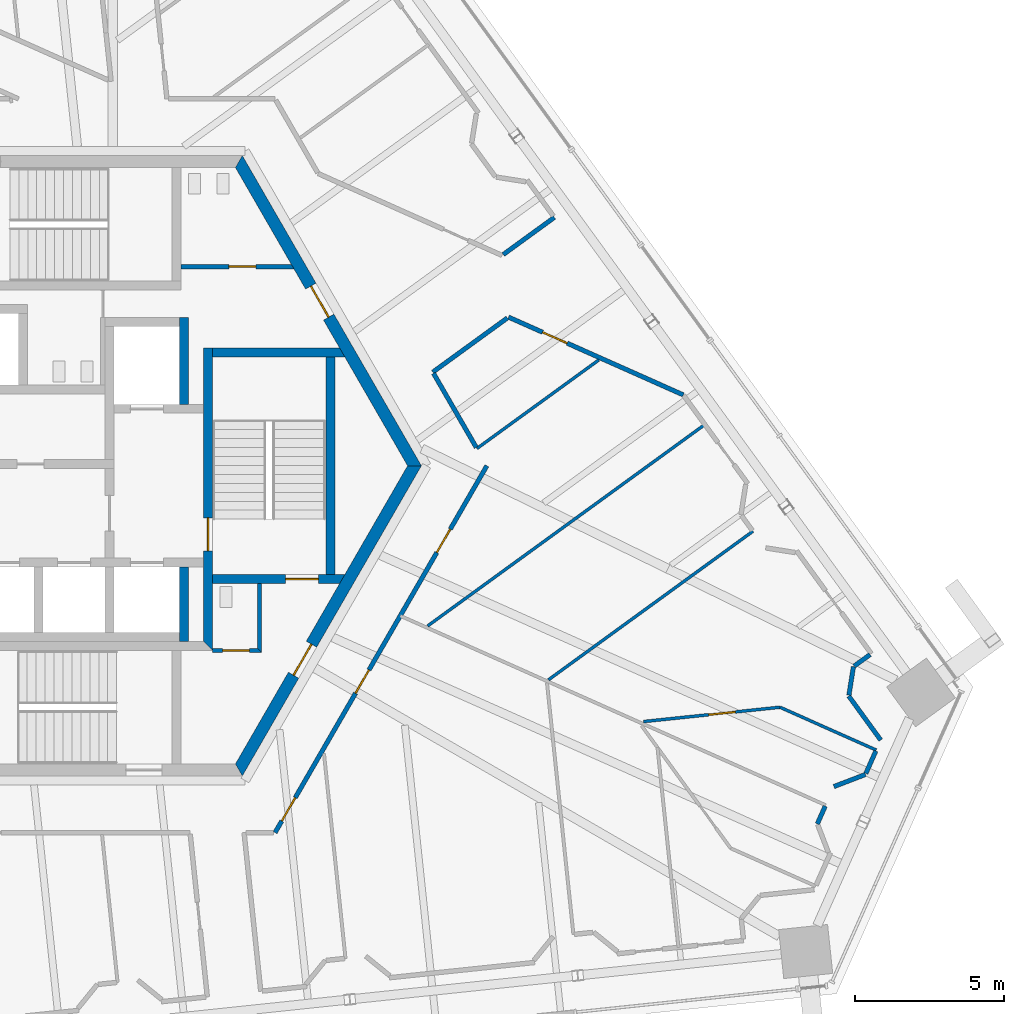
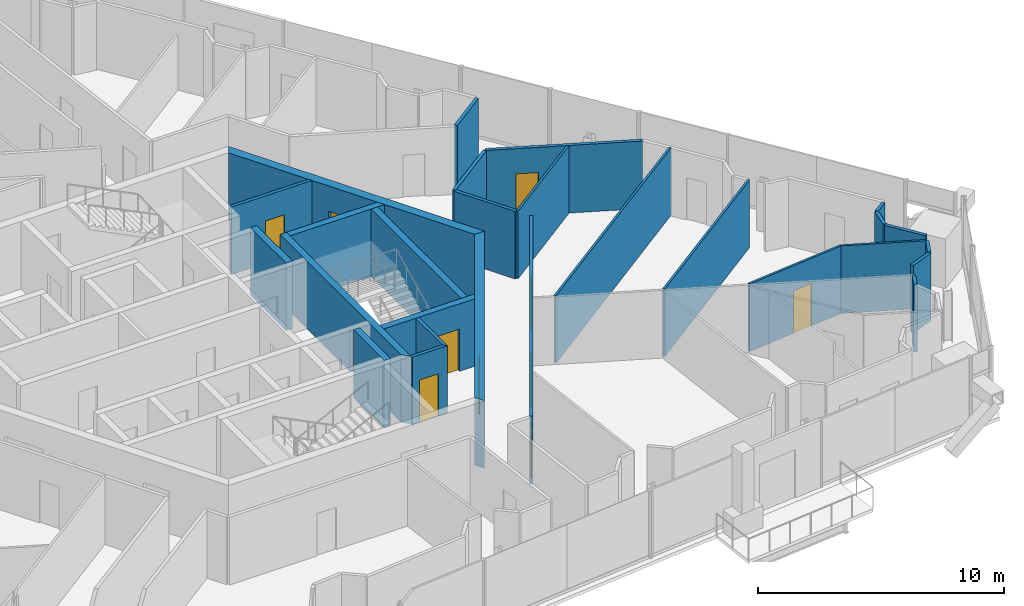
# One storey, part 18 of 26: 27 walls, 11 doors, 11 openings.
"""IFC4 building model written with IfcOpenShell, lengths in metres."""

from ifc_helpers import new_model, si_unit, direction, frame, frame_2d, origin, place, context, subcontext, project, spatial, polyline, rectangle, outline, extrude, source, transform, mapped, material, layer, layer_set, type_object, element, fill, save


model = new_model("IFC4")

# Units and contexts
model_context = context("Model", 3, precision=1e-05, world=origin(), true_north=direction((0.0, 1.0)))
body_context = subcontext(model_context, "Body", "Model", "MODEL_VIEW")
ifc_project = project(units=[si_unit("LENGTHUNIT", "METRE"), si_unit("AREAUNIT", "SQUARE_METRE"), si_unit("VOLUMEUNIT", "CUBIC_METRE"), si_unit("PLANEANGLEUNIT", "RADIAN"), si_unit("MASSUNIT", "GRAM", prefix="KILO")], contexts=[model_context])

# Site, building, storey
site_placement = place(None, origin())
site = spatial("IfcSite", under=ifc_project, at=site_placement, CompositionType="ELEMENT")
building_placement = place(site_placement, origin())
building = spatial("IfcBuilding", under=site, at=building_placement, Name="Triune Harvest Tower", CompositionType="ELEMENT")
storey_placement = place(building_placement, frame((0.0, 0.0, 252.10009765625)))
storey = spatial("IfcBuildingStorey", under=building, at=storey_placement, Name="L66", CompositionType="ELEMENT", Elevation=252.10009765625)

# Wall
ifc_material_1 = material(Name="Gypsum board on steel studs", Category="steel")
ifc_layer_1 = layer(ifc_material_1, 0.14990234375)
ifc_layer_set_1 = layer_set([ifc_layer_1], Name="Gypsum board on steel studs")
wall_type_1 = type_object("IfcWallType", Name="Fire Partition 150 mm", PredefinedType="PARTITIONING", material=ifc_layer_set_1)
wall_1_placement = place(storey_placement, frame((12.4072265625, 3.094482421875, 0.0), z_axis=(0.0, 0.0, 1.0), x_axis=(0.499990619765, -0.866030819398, 0.0)))
element("IfcWall", 1, at=wall_1_placement, inside=storey, type_object=wall_type_1, Name="Partition L66 023", PredefinedType="PARTITIONING", context=body_context, shape_type="SweptSolid", body=[
    extrude(rectangle(XDim=2.86328125, YDim=0.14990234375, at=frame_2d((1.431640625, 0.0))), origin(), (0.0, 0.0, 1.0), 3.349853515625),
])

# Wall, opening, door
wall_2_placement = place(storey_placement, frame((14.919921875, 4.981201171875, 0.0), z_axis=(0.0, 0.0, 1.0), x_axis=(0.913563221273, -0.406696742965, 0.0)))
wall_2 = element("IfcWall", 2, at=wall_2_placement, inside=storey, type_object=wall_type_1, Name="Partition L66 056", PredefinedType="PARTITIONING", context=body_context, shape_type="SweptSolid", body=[
    extrude(rectangle(XDim=6.409912109375, YDim=0.14990234375, at=frame_2d((3.205078125, 0.0))), origin(), (0.0, 0.0, 1.0), 3.349853515625),
])
opening_1_placement = place(wall_2_placement, frame((1.25, 0.0, 0.0)))
opening_1 = element("IfcOpeningElement", 3, at=opening_1_placement, cuts=wall_2, Name="Opening L66-004", PredefinedType="OPENING", context=body_context, shape_type="SweptSolid", body=[
    extrude(rectangle(XDim=0.89990234375, YDim=2.10009765625, at=frame_2d((0.449951171875, 1.050048828125))), frame((0.0, 0.0849609375, 0.0), z_axis=(0.0, -1.0, 0.0), x_axis=(1.0, 0.0, 0.0)), (0.0, 0.0, 1.0), 0.169921875),
])
ifc_material_2 = material(Name="Timber and steel door set", Category="steel")
door_type_1 = type_object("IfcDoorType", Name="Single leaf door FD30 right hand 900 x 2100", OperationType="SINGLE_SWING_RIGHT", PredefinedType="DOOR", material=ifc_material_2)
door_1_placement = place(opening_1_placement, origin())
door_1 = element("IfcDoor", 4, at=door_1_placement, inside=storey, type_object=door_type_1, Name="Door L66-004 Office 66.04", OperationType="SINGLE_SWING_RIGHT", OverallHeight=2.10009765625, OverallWidth=0.89990234375, PredefinedType="DOOR", context=body_context, shape_type="SweptSolid", body=[
    extrude(rectangle(XDim=0.89990234375, YDim=2.10009765625, at=frame_2d((0.449951171875, 1.050048828125))), frame((0.0, 0.02490234375, 0.0), z_axis=(0.0, -1.0, 0.0), x_axis=(1.0, 0.0, 0.0)), (0.0, 0.0, 1.0), 0.050048828125),
])
fill(opening_1, door_1)

# Walls
wall_3_placement = place(storey_placement, frame((12.382568359375, 3.1376953125, 0.0), z_axis=(0.0, 0.0, 1.0), x_axis=(0.808992559599, 0.587818882407, 0.0)))
element("IfcWall", 5, at=wall_3_placement, inside=storey, type_object=wall_type_1, Name="Partition L66 101", PredefinedType="PARTITIONING", context=body_context, shape_type="SweptSolid", body=[
    extrude(rectangle(XDim=3.08642578125, YDim=0.14990234375, at=frame_2d((1.543212890625, 0.0))), origin(), (0.0, 0.0, 1.0), 3.349853515625),
])
wall_4_placement = place(storey_placement, frame((14.742919921875, 7.078125, 0.0), z_axis=(0.0, 0.0, 1.0), x_axis=(0.809005452733, 0.587801137672, 0.0)))
element("IfcWall", 6, at=wall_4_placement, inside=storey, type_object=wall_type_1, Name="Partition L66 103", PredefinedType="PARTITIONING", context=body_context, shape_type="SweptSolid", body=[
    extrude(rectangle(XDim=2.11572265625, YDim=0.14990234375, at=frame_2d((1.057861328125, 0.0))), origin(), (0.0, 0.0, 1.0), 3.349853515625),
])

# Wall, openings, doors
wall_5_placement = place(storey_placement, frame((7.096923828125, -12.29248046875, 0.0), z_axis=(0.0, 0.0, 1.0), x_axis=(0.499992439803, 0.866029768622, 0.0)))
wall_5 = element("IfcWall", 7, at=wall_5_placement, inside=storey, type_object=wall_type_1, Name="Partition L66 118", PredefinedType="PARTITIONING", context=body_context, shape_type="SweptSolid", body=[
    extrude(rectangle(XDim=14.194091796875, YDim=0.14990234375, at=frame_2d((7.09716796875, 0.0))), origin(), (0.0, 0.0, 1.0), 3.349853515625),
])
opening_2_placement = place(wall_5_placement, frame((10.839111328125, 0.0, 0.0)))
opening_2 = element("IfcOpeningElement", 8, at=opening_2_placement, cuts=wall_5, Name="Opening L66-002", PredefinedType="OPENING", context=body_context, shape_type="SweptSolid", body=[
    extrude(rectangle(XDim=0.89990234375, YDim=2.10009765625, at=frame_2d((0.449951171875, 1.050048828125))), frame((0.0, 0.0849609375, 0.0), z_axis=(0.0, -1.0, 0.0), x_axis=(1.0, 0.0, 0.0)), (0.0, 0.0, 1.0), 0.169921875),
])
opening_3_placement = place(wall_5_placement, frame((0.4501953125, 0.0, 0.0)))
opening_3 = element("IfcOpeningElement", 9, at=opening_3_placement, cuts=wall_5, Name="Opening L66-024", PredefinedType="OPENING", context=body_context, shape_type="SweptSolid", body=[
    extrude(rectangle(XDim=0.89990234375, YDim=2.10009765625, at=frame_2d((0.449951171875, 1.050048828125))), frame((0.0, 0.0849609375, 0.0), z_axis=(0.0, -1.0, 0.0), x_axis=(1.0, 0.0, 0.0)), (0.0, 0.0, 1.0), 0.169921875),
])
opening_4_placement = place(wall_5_placement, frame((5.393310546875, 0.0, 0.0)))
opening_4 = element("IfcOpeningElement", 10, at=opening_4_placement, cuts=wall_5, Name="Opening L66-025", PredefinedType="OPENING", context=body_context, shape_type="SweptSolid", body=[
    extrude(rectangle(XDim=0.89990234375, YDim=2.10009765625, at=frame_2d((0.449951171875, 1.050048828125))), frame((0.0, 0.0849609375, 0.0), z_axis=(0.0, -1.0, 0.0), x_axis=(1.0, 0.0, 0.0)), (0.0, 0.0, 1.0), 0.169921875),
])
ifc_material_3 = material(Name="Timber and steel door set", Category="steel")
door_type_2 = type_object("IfcDoorType", Name="Single leaf door FD30 left hand 900 x 2100", OperationType="SINGLE_SWING_LEFT", PredefinedType="DOOR", material=ifc_material_3)
door_2_placement = place(opening_2_placement, origin())
door_2 = element("IfcDoor", 11, at=door_2_placement, inside=storey, type_object=door_type_2, Name="Door L66-002 Project Room 66.02", OperationType="SINGLE_SWING_LEFT", OverallHeight=2.10009765625, OverallWidth=0.89990234375, PredefinedType="DOOR", context=body_context, shape_type="SweptSolid", body=[
    extrude(rectangle(XDim=0.89990234375, YDim=2.10009765625, at=frame_2d((0.449951171875, 1.050048828125))), frame((0.0, 0.02490234375, 0.0), z_axis=(0.0, -1.0, 0.0), x_axis=(1.0, 0.0, 0.0)), (0.0, 0.0, 1.0), 0.050048828125),
])
fill(opening_2, door_2)
door_3_placement = place(opening_3_placement, origin())
door_3 = element("IfcDoor", 12, at=door_3_placement, inside=storey, type_object=door_type_1, Name="Door L66-024 Meeting Room 66.24", OperationType="SINGLE_SWING_RIGHT", OverallHeight=2.10009765625, OverallWidth=0.89990234375, PredefinedType="DOOR", context=body_context, shape_type="SweptSolid", body=[
    extrude(rectangle(XDim=0.89990234375, YDim=2.10009765625, at=frame_2d((0.449951171875, 1.050048828125))), frame((0.0, 0.02490234375, 0.0), z_axis=(0.0, -1.0, 0.0), x_axis=(1.0, 0.0, 0.0)), (0.0, 0.0, 1.0), 0.050048828125),
])
fill(opening_3, door_3)
door_4_placement = place(opening_4_placement, origin())
door_4 = element("IfcDoor", 13, at=door_4_placement, inside=storey, type_object=door_type_1, Name="Door L66-025 Office 66.25", OperationType="SINGLE_SWING_RIGHT", OverallHeight=2.10009765625, OverallWidth=0.89990234375, PredefinedType="DOOR", context=body_context, shape_type="SweptSolid", body=[
    extrude(rectangle(XDim=0.89990234375, YDim=2.10009765625, at=frame_2d((0.449951171875, 1.050048828125))), frame((0.0, 0.02490234375, 0.0), z_axis=(0.0, -1.0, 0.0), x_axis=(1.0, 0.0, 0.0)), (0.0, 0.0, 1.0), 0.050048828125),
])
fill(opening_4, door_4)

# Walls
wall_6_placement = place(storey_placement, frame((26.892578125, -10.310302734375, 0.0), z_axis=(0.0, 0.0, 1.0), x_axis=(0.4068796389, 0.913481778389, 0.0)))
element("IfcWall", 14, at=wall_6_placement, inside=storey, type_object=wall_type_1, Name="Partition L66 121", PredefinedType="PARTITIONING", context=body_context, shape_type="SweptSolid", body=[
    extrude(rectangle(XDim=0.824951171875, YDim=0.14990234375, at=frame_2d((0.41259765625, 0.0))), origin(), (0.0, 0.0, 1.0), 3.349853515625),
])
wall_7_placement = place(storey_placement, frame((25.2666015625, -11.99951171875, 0.0), z_axis=(0.0, 0.0, 1.0), x_axis=(0.40683479752, 0.91350175015, 0.0)))
element("IfcWall", 15, at=wall_7_placement, inside=storey, type_object=wall_type_1, Name="Partition L66 122", PredefinedType="PARTITIONING", context=body_context, shape_type="SweptSolid", body=[
    extrude(rectangle(XDim=0.650390625, YDim=0.14990234375, at=frame_2d((0.3251953125, 0.0))), origin(), (0.0, 0.0, 1.0), 3.349853515625),
])
ifc_material_4 = material(Name="Gypsum board on steel studs", Category="steel")
ifc_layer_2 = layer(ifc_material_4, 0.10009765625)
ifc_layer_set_2 = layer_set([ifc_layer_2], Name="Gypsum board on steel studs")
wall_type_2 = type_object("IfcWallType", Name="Partition 100 mm", PredefinedType="PARTITIONING", material=ifc_layer_set_2)
wall_8_placement = place(storey_placement, frame((24.015869140625, -8.091796875, 0.0), z_axis=(0.0, 0.0, 1.0), x_axis=(0.91354330346, -0.406741481414, 0.0)))
element("IfcWall", 16, at=wall_8_placement, inside=storey, type_object=wall_type_2, Name="Partition L66 053", PredefinedType="PARTITIONING", context=body_context, shape_type="SweptSolid", body=[
    extrude(rectangle(XDim=3.530517578125, YDim=0.10009765625, at=frame_2d((1.76513671875, 0.0))), origin(), (0.0, 0.0, 1.0), 3.349853515625),
])

# Wall, opening, door
wall_9_placement = place(storey_placement, frame((19.439208984375, -8.572509765625, 0.0), z_axis=(0.0, 0.0, 1.0), x_axis=(0.994523461521, 0.10451356125, 0.0)))
wall_9 = element("IfcWall", 17, at=wall_9_placement, inside=storey, type_object=wall_type_2, Name="Partition L66 085", PredefinedType="PARTITIONING", context=body_context, shape_type="SweptSolid", body=[
    extrude(rectangle(XDim=4.601806640625, YDim=0.10009765625, at=frame_2d((2.30078125, 0.0))), origin(), (0.0, 0.0, 1.0), 3.349853515625),
])
opening_5_placement = place(wall_9_placement, frame((2.199951171875, 0.0, 0.0)))
opening_5 = element("IfcOpeningElement", 18, at=opening_5_placement, cuts=wall_9, Name="Opening L66-029", PredefinedType="OPENING", context=body_context, shape_type="SweptSolid", body=[
    extrude(rectangle(XDim=0.89990234375, YDim=2.10009765625, at=frame_2d((0.449951171875, 1.050048828125))), frame((0.0, 0.06005859375, 0.0), z_axis=(0.0, -1.0, 0.0), x_axis=(1.0, 0.0, 0.0)), (0.0, 0.0, 1.0), 0.1201171875),
])
ifc_material_5 = material(Name="Timber and steel door set", Category="steel")
door_type_3 = type_object("IfcDoorType", Name="Single leaf door left hand 900 x 2100", OperationType="SINGLE_SWING_LEFT", PredefinedType="DOOR", material=ifc_material_5)
door_5_placement = place(opening_5_placement, origin())
door_5 = element("IfcDoor", 19, at=door_5_placement, inside=storey, type_object=door_type_3, Name="Door L66-029 Office 66.29", OperationType="SINGLE_SWING_LEFT", OverallHeight=2.10009765625, OverallWidth=0.89990234375, PredefinedType="DOOR", context=body_context, shape_type="SweptSolid", body=[
    extrude(rectangle(XDim=0.89990234375, YDim=2.10009765625, at=frame_2d((0.449951171875, 1.050048828125))), frame((0.0, 0.02490234375, 0.0), z_axis=(0.0, -1.0, 0.0), x_axis=(1.0, 0.0, 0.0)), (0.0, 0.0, 1.0), 0.050048828125),
])
fill(opening_5, door_5)

# Walls
wall_10_placement = place(storey_placement, frame((12.2080078125, -5.368896484375, 0.0), z_axis=(0.0, 0.0, 1.0), x_axis=(0.809013655249, 0.587789848178, 0.0)))
element("IfcWall", 20, at=wall_10_placement, inside=storey, type_object=wall_type_2, Name="Partition L66 098", PredefinedType="PARTITIONING", context=body_context, shape_type="SweptSolid", body=[
    extrude(rectangle(XDim=11.48291015625, YDim=0.10009765625, at=frame_2d((5.741455078125, 0.0))), origin(), (0.0, 0.0, 1.0), 3.349853515625),
])
wall_11_placement = place(storey_placement, frame((13.8603515625, 0.577880859375, 0.0), z_axis=(0.0, 0.0, 1.0), x_axis=(0.809022234952, 0.58777803919, 0.0)))
element("IfcWall", 21, at=wall_11_placement, inside=storey, type_object=wall_type_2, Name="Partition L66 099", PredefinedType="PARTITIONING", context=body_context, shape_type="SweptSolid", body=[
    extrude(rectangle(XDim=5.052978515625, YDim=0.10009765625, at=frame_2d((2.5263671875, 0.0))), origin(), (0.0, 0.0, 1.0), 3.349853515625),
])

# Wall, opening, door
ifc_material_6 = material(Name="Concrete 70 MPa", Category="concrete")
ifc_layer_3 = layer(ifc_material_6, 0.39990234375)
ifc_layer_set_3 = layer_set([ifc_layer_3], Name="Concrete 70 MPa")
wall_type_3 = type_object("IfcWallType", Name="Core wall 400", PredefinedType="SHEAR", material=ifc_layer_set_3)
shared_shape_1 = source(origin(), body_context, "Body", "SweptSolid", [
    extrude(outline(polyline([(-0.115478515625, -0.199951171875), (11.884521484375, -0.199951171875), (11.653564453125, 0.199951171875), (0.115478515625, 0.199951171875), (-0.115478515625, -0.199951171875)])), origin(), (0.0, 0.0, 1.0), 3.349853515625),
])
wall_12_placement = place(storey_placement, frame((11.76904296875, 0.0, 0.0), z_axis=(0.0, 0.0, 1.0), x_axis=(-0.499996592174, 0.866027371285, 0.0)))
wall_12 = element("IfcWall", 22, at=wall_12_placement, inside=storey, type_object=wall_type_3, Name="Hexagon 0 wall", PredefinedType="SHEAR", context=body_context, shape_type="MappedRepresentation", body=[
    mapped(shared_shape_1, transform((0.0, 0.0, 0.0), scale=1.0)),
])
opening_6_placement = place(wall_12_placement, frame((5.75048828125, 0.0, 0.0)))
opening_6 = element("IfcOpeningElement", 23, at=opening_6_placement, cuts=wall_12, Name="Opening CD-WCP", PredefinedType="OPENING", context=body_context, shape_type="SweptSolid", body=[
    extrude(rectangle(XDim=1.199951171875, YDim=2.10009765625, at=frame_2d((0.60009765625, 1.050048828125))), frame((0.0, 0.2099609375, 0.0), z_axis=(0.0, -1.0, 0.0), x_axis=(1.0, 0.0, 0.0)), (0.0, 0.0, 1.0), 0.419921875),
])
ifc_material_7 = material(Name="Steel S235", Category="steel")
door_type_4 = type_object("IfcDoorType", Name="Lobby door 1200 FD120", OperationType="SINGLE_SWING_LEFT", PredefinedType="DOOR", material=ifc_material_7)
door_6_placement = place(opening_6_placement, frame((1.199951171875, 0.0, 0.0), z_axis=(0.0, 0.0, 1.0), x_axis=(-1.0, 0.0, 0.0)))
door_6 = element("IfcDoor", 24, at=door_6_placement, inside=storey, type_object=door_type_4, Name="Door CD-WCP", OperationType="SINGLE_SWING_RIGHT", OverallHeight=2.10009765625, OverallWidth=1.199951171875, PredefinedType="DOOR", context=body_context, shape_type="SweptSolid", body=[
    extrude(rectangle(XDim=1.199951171875, YDim=2.10009765625, at=frame_2d((0.60009765625, 1.050048828125))), frame((0.0, 0.02490234375, 0.0), z_axis=(0.0, -1.0, 0.0), x_axis=(1.0, 0.0, 0.0)), (0.0, 0.0, 1.0), 0.050048828125),
])
fill(opening_6, door_6)

wall_13_placement = place(storey_placement, frame((5.884521484375, -10.1923828125, 0.0), z_axis=(0.0, 0.0, 1.0), x_axis=(0.499996592174, 0.866027371285, 0.0)))
wall_13 = element("IfcWall", 25, at=wall_13_placement, inside=storey, type_object=wall_type_3, Name="Hexagon 5 wall", PredefinedType="SHEAR", context=body_context, shape_type="MappedRepresentation", body=[
    mapped(shared_shape_1, transform((0.0, 0.0, 0.0), scale=1.0)),
])
opening_7_placement = place(wall_13_placement, frame((3.66455078125, 0.0, 0.0)))
opening_7 = element("IfcOpeningElement", 26, at=opening_7_placement, cuts=wall_13, Name="Opening CD-DP", PredefinedType="OPENING", context=body_context, shape_type="SweptSolid", body=[
    extrude(rectangle(XDim=1.199951171875, YDim=2.10009765625, at=frame_2d((0.60009765625, 1.050048828125))), frame((0.0, 0.2099609375, 0.0), z_axis=(0.0, -1.0, 0.0), x_axis=(1.0, 0.0, 0.0)), (0.0, 0.0, 1.0), 0.419921875),
])
ifc_material_8 = material(Name="Steel S235", Category="steel")
door_type_5 = type_object("IfcDoorType", Name="Stair door 1200 FD120", OperationType="SINGLE_SWING_LEFT", PredefinedType="DOOR", material=ifc_material_8)
door_7_placement = place(opening_7_placement, frame((1.199951171875, 0.0, 0.0), z_axis=(0.0, 0.0, 1.0), x_axis=(-1.0, 0.0, 0.0)))
door_7 = element("IfcDoor", 27, at=door_7_placement, inside=storey, type_object=door_type_5, Name="Door CD-DP", OperationType="SINGLE_SWING_RIGHT", OverallHeight=2.10009765625, OverallWidth=1.199951171875, PredefinedType="DOOR", context=body_context, shape_type="SweptSolid", body=[
    extrude(rectangle(XDim=1.199951171875, YDim=2.10009765625, at=frame_2d((0.60009765625, 1.050048828125))), frame((0.0, 0.02490234375, 0.0), z_axis=(0.0, -1.0, 0.0), x_axis=(1.0, 0.0, 0.0)), (0.0, 0.0, 1.0), 0.050048828125),
])
fill(opening_7, door_7)

# Walls
ifc_material_9 = material(Name="Concrete 70 MPa", Category="concrete")
ifc_layer_4 = layer(ifc_material_9, 0.300048828125)
ifc_layer_set_4 = layer_set([ifc_layer_4], Name="Concrete 70 MPa")
wall_type_4 = type_object("IfcWallType", Name="Core wall 300", PredefinedType="SHEAR", material=ifc_layer_set_4)
shared_shape_2 = source(origin(), body_context, "Body", "SweptSolid", [
    extrude(rectangle(XDim=2.5, YDim=0.300048828125, at=frame_2d((1.25, 0.0))), origin(), (0.0, 0.0, 1.0), 3.349853515625),
])
wall_14_placement = place(storey_placement, frame((4.050048828125, -5.889892578125, 0.0), z_axis=(0.0, 0.0, 1.0), x_axis=(0.0, 1.0, 0.0)))
element("IfcWall", 28, at=wall_14_placement, inside=storey, type_object=wall_type_4, Name="Ff2 east wall", PredefinedType="SHEAR", context=body_context, shape_type="MappedRepresentation", body=[
    mapped(shared_shape_2, transform((0.0, 0.0, 0.0), scale=1.0)),
])
shared_shape_3 = source(origin(), body_context, "Body", "SweptSolid", [
    extrude(rectangle(XDim=2.89990234375, YDim=0.300048828125, at=frame_2d((1.449951171875, 0.0))), origin(), (0.0, 0.0, 1.0), 3.349853515625),
])
wall_15_placement = place(storey_placement, frame((4.050048828125, 2.06005859375, 0.0), z_axis=(0.0, 0.0, 1.0), x_axis=(0.0, 1.0, 0.0)))
element("IfcWall", 29, at=wall_15_placement, inside=storey, type_object=wall_type_4, Name="Ff1 east wall", PredefinedType="SHEAR", context=body_context, shape_type="MappedRepresentation", body=[
    mapped(shared_shape_3, transform((0.0, 0.0, 0.0), scale=1.0)),
])

# Wall, opening, door
shared_shape_4 = source(origin(), body_context, "Body", "SweptSolid", [
    extrude(outline(polyline([(-0.14990234375, -0.14990234375), (9.989990234375, -0.14990234375), (9.989990234375, 0.14990234375), (0.14990234375, 0.14990234375), (-0.14990234375, -0.14990234375)])), origin(), (0.0, 0.0, 1.0), 3.349853515625),
])
wall_16_placement = place(storey_placement, frame((4.85009765625, -6.0400390625, 0.0), z_axis=(0.0, 0.0, 1.0), x_axis=(0.0, 1.0, 0.0)))
wall_16 = element("IfcWall", 30, at=wall_16_placement, inside=storey, type_object=wall_type_4, Name="Stair e west wall", PredefinedType="SHEAR", context=body_context, shape_type="MappedRepresentation", body=[
    mapped(shared_shape_4, transform((0.0, 0.0, 0.0), scale=1.0)),
])
opening_8_placement = place(wall_16_placement, frame((3.18994140625, 0.0, 0.0)))
opening_8 = element("IfcOpeningElement", 31, at=opening_8_placement, cuts=wall_16, Name="Opening CD-S3L", PredefinedType="OPENING", context=body_context, shape_type="SweptSolid", body=[
    extrude(rectangle(XDim=1.10009765625, YDim=2.10009765625, at=frame_2d((0.550048828125, 1.050048828125))), frame((0.0, 0.16015625, 0.0), z_axis=(0.0, -1.0, 0.0), x_axis=(1.0, 0.0, 0.0)), (0.0, 0.0, 1.0), 0.320068359375),
])
ifc_material_10 = material(Name="Steel S235", Category="steel")
door_type_6 = type_object("IfcDoorType", Name="Stair door 1100 FD120", OperationType="SINGLE_SWING_LEFT", PredefinedType="DOOR", material=ifc_material_10)
door_8_placement = place(opening_8_placement, frame((1.10009765625, 0.0, 0.0), z_axis=(0.0, 0.0, 1.0), x_axis=(-1.0, 0.0, 0.0)))
door_8 = element("IfcDoor", 32, at=door_8_placement, inside=storey, type_object=door_type_6, Name="Door CD-S3L", OperationType="SINGLE_SWING_RIGHT", OverallHeight=2.10009765625, OverallWidth=1.10009765625, PredefinedType="DOOR", context=body_context, shape_type="SweptSolid", body=[
    extrude(rectangle(XDim=1.10009765625, YDim=2.10009765625, at=frame_2d((0.550048828125, 1.050048828125))), frame((0.0, 0.02490234375, 0.0), z_axis=(0.0, -1.0, 0.0), x_axis=(1.0, 0.0, 0.0)), (0.0, 0.0, 1.0), 0.050048828125),
])
fill(opening_8, door_8)

# Wall
shared_shape_5 = source(origin(), body_context, "Body", "SweptSolid", [
    extrude(outline(polyline([(0.0, -0.14990234375), (0.0, 0.14990234375), (4.260009765625, 0.14990234375), (4.43310546875, -0.14990234375), (0.0, -0.14990234375)])), origin(), (0.0, 0.0, 1.0), 3.349853515625),
])
wall_17_placement = place(storey_placement, frame((5.0, 3.800048828125, 0.0), z_axis=(0.0, 0.0, 1.0), x_axis=(1.0, 0.0, 0.0)))
element("IfcWall", 33, at=wall_17_placement, inside=storey, type_object=wall_type_4, Name="Stair e north wall", PredefinedType="SHEAR", context=body_context, shape_type="MappedRepresentation", body=[
    mapped(shared_shape_5, transform((0.0, 0.0, 0.0), scale=1.0)),
])

# Wall, opening, door
shared_shape_6 = source(origin(), body_context, "Body", "SweptSolid", [
    extrude(outline(polyline([(0.0, -0.14990234375), (0.0, 0.14990234375), (4.43310546875, 0.14990234375), (4.260009765625, -0.14990234375), (0.0, -0.14990234375)])), origin(), (0.0, 0.0, 1.0), 3.349853515625),
])
wall_18_placement = place(storey_placement, frame((5.0, -3.800048828125, 0.0), z_axis=(0.0, 0.0, 1.0), x_axis=(1.0, 0.0, 0.0)))
wall_18 = element("IfcWall", 34, at=wall_18_placement, inside=storey, type_object=wall_type_4, Name="Stair e south wall", PredefinedType="SHEAR", context=body_context, shape_type="MappedRepresentation", body=[
    mapped(shared_shape_6, transform((0.0, 0.0, 0.0), scale=1.0)),
])
opening_9_placement = place(wall_18_placement, frame((2.449951171875, 0.0, 0.0)))
opening_9 = element("IfcOpeningElement", 35, at=opening_9_placement, cuts=wall_18, Name="Opening CD-S3D", PredefinedType="OPENING", context=body_context, shape_type="SweptSolid", body=[
    extrude(rectangle(XDim=1.10009765625, YDim=2.10009765625, at=frame_2d((0.550048828125, 1.050048828125))), frame((0.0, 0.16015625, 0.0), z_axis=(0.0, -1.0, 0.0), x_axis=(1.0, 0.0, 0.0)), (0.0, 0.0, 1.0), 0.320068359375),
])
door_9_placement = place(opening_9_placement, frame((1.10009765625, 0.0, 0.0), z_axis=(0.0, 0.0, 1.0), x_axis=(-1.0, 0.0, 0.0)))
door_9 = element("IfcDoor", 36, at=door_9_placement, inside=storey, type_object=door_type_6, Name="Door CD-S3D", OperationType="SINGLE_SWING_RIGHT", OverallHeight=2.10009765625, OverallWidth=1.10009765625, PredefinedType="DOOR", context=body_context, shape_type="SweptSolid", body=[
    extrude(rectangle(XDim=1.10009765625, YDim=2.10009765625, at=frame_2d((0.550048828125, 1.050048828125))), frame((0.0, 0.02490234375, 0.0), z_axis=(0.0, -1.0, 0.0), x_axis=(1.0, 0.0, 0.0)), (0.0, 0.0, 1.0), 0.050048828125),
])
fill(opening_9, door_9)

# Wall
shared_shape_7 = source(origin(), body_context, "Body", "SweptSolid", [
    extrude(rectangle(XDim=7.2998046875, YDim=0.300048828125, at=frame_2d((3.64990234375, 0.0))), origin(), (0.0, 0.0, 1.0), 3.349853515625),
])
wall_19_placement = place(storey_placement, frame((8.949951171875, -3.64990234375, 0.0), z_axis=(0.0, 0.0, 1.0), x_axis=(0.0, 1.0, 0.0)))
element("IfcWall", 37, at=wall_19_placement, inside=storey, type_object=wall_type_4, Name="Stair e east wall", PredefinedType="SHEAR", context=body_context, shape_type="MappedRepresentation", body=[
    mapped(shared_shape_7, transform((0.0, 0.0, 0.0), scale=1.0)),
])

# Wall, opening, door
ifc_material_11 = material(Name="Concrete masonry unit", Category="masonry")
ifc_layer_5 = layer(ifc_material_11, 0.14990234375)
ifc_layer_set_5 = layer_set([ifc_layer_5], Name="Concrete masonry unit")
wall_type_5 = type_object("IfcWallType", Name="Block partition 150 unrated", PredefinedType="PARTITIONING", material=ifc_layer_set_5)
shared_shape_8 = source(origin(), body_context, "Body", "SweptSolid", [
    extrude(outline(polyline([(0.0, -0.074951171875), (0.0, 0.074951171875), (3.693359375, 0.074951171875), (3.77978515625, -0.074951171875), (0.0, -0.074951171875)])), origin(), (0.0, 0.0, 1.0), 3.349853515625),
])
wall_20_placement = place(storey_placement, frame((3.949951171875, 6.675048828125, 0.0), z_axis=(0.0, 0.0, 1.0), x_axis=(1.0, 0.0, 0.0)))
wall_20 = element("IfcWall", 38, at=wall_20_placement, inside=storey, type_object=wall_type_5, Name="Wc women south wall", PredefinedType="PARTITIONING", context=body_context, shape_type="MappedRepresentation", body=[
    mapped(shared_shape_8, transform((0.0, 0.0, 0.0), scale=1.0)),
])
opening_10_placement = place(wall_20_placement, frame((1.60009765625, 0.0, 0.0)))
opening_10 = element("IfcOpeningElement", 39, at=opening_10_placement, cuts=wall_20, Name="Opening CD-WW", PredefinedType="OPENING", context=body_context, shape_type="SweptSolid", body=[
    extrude(rectangle(XDim=0.89990234375, YDim=2.10009765625, at=frame_2d((0.449951171875, 1.050048828125))), frame((0.0, 0.0849609375, 0.0), z_axis=(0.0, -1.0, 0.0), x_axis=(1.0, 0.0, 0.0)), (0.0, 0.0, 1.0), 0.169921875),
])
ifc_material_12 = material(Name="Timber C24", Category="wood")
door_type_7 = type_object("IfcDoorType", Name="WC door 900", OperationType="SINGLE_SWING_LEFT", PredefinedType="DOOR", material=ifc_material_12)
door_10_placement = place(opening_10_placement, origin())
door_10 = element("IfcDoor", 40, at=door_10_placement, inside=storey, type_object=door_type_7, Name="Door CD-WW", OperationType="SINGLE_SWING_LEFT", OverallHeight=2.10009765625, OverallWidth=0.89990234375, PredefinedType="DOOR", context=body_context, shape_type="SweptSolid", body=[
    extrude(rectangle(XDim=0.89990234375, YDim=2.10009765625, at=frame_2d((0.449951171875, 1.050048828125))), frame((0.0, 0.02490234375, 0.0), z_axis=(0.0, -1.0, 0.0), x_axis=(1.0, 0.0, 0.0)), (0.0, 0.0, 1.0), 0.050048828125),
])
fill(opening_10, door_10)

shared_shape_9 = source(origin(), body_context, "Body", "SweptSolid", [
    extrude(outline(polyline([(0.0, -0.074951171875), (1.64990234375, -0.074951171875), (1.5, 0.074951171875), (0.0, 0.074951171875), (0.0, -0.074951171875)])), origin(), (0.0, 0.0, 1.0), 3.349853515625),
])
wall_21_placement = place(storey_placement, frame((5.0, -6.18994140625, 0.0), z_axis=(0.0, 0.0, 1.0), x_axis=(1.0, 0.0, 0.0)))
wall_21 = element("IfcWall", 41, at=wall_21_placement, inside=storey, type_object=wall_type_5, Name="Wc acc south wall", PredefinedType="PARTITIONING", context=body_context, shape_type="MappedRepresentation", body=[
    mapped(shared_shape_9, transform((0.0, 0.0, 0.0), scale=1.0)),
])
opening_11_placement = place(wall_21_placement, frame((0.33740234375, 0.0, 0.0)))
opening_11 = element("IfcOpeningElement", 42, at=opening_11_placement, cuts=wall_21, Name="Opening CD-WA", PredefinedType="OPENING", context=body_context, shape_type="SweptSolid", body=[
    extrude(rectangle(XDim=0.89990234375, YDim=2.10009765625, at=frame_2d((0.449951171875, 1.050048828125))), frame((0.0, 0.0849609375, 0.0), z_axis=(0.0, -1.0, 0.0), x_axis=(1.0, 0.0, 0.0)), (0.0, 0.0, 1.0), 0.169921875),
])
door_11_placement = place(opening_11_placement, origin())
door_11 = element("IfcDoor", 43, at=door_11_placement, inside=storey, type_object=door_type_7, Name="Door CD-WA", OperationType="SINGLE_SWING_LEFT", OverallHeight=2.10009765625, OverallWidth=0.89990234375, PredefinedType="DOOR", context=body_context, shape_type="SweptSolid", body=[
    extrude(rectangle(XDim=0.89990234375, YDim=2.10009765625, at=frame_2d((0.449951171875, 1.050048828125))), frame((0.0, 0.02490234375, 0.0), z_axis=(0.0, -1.0, 0.0), x_axis=(1.0, 0.0, 0.0)), (0.0, 0.0, 1.0), 0.050048828125),
])
fill(opening_11, door_11)

# Walls
shared_shape_10 = source(origin(), body_context, "Body", "SweptSolid", [
    extrude(outline(polyline([(-0.074951171875, -0.074951171875), (2.239990234375, -0.074951171875), (2.239990234375, 0.074951171875), (0.074951171875, 0.074951171875), (-0.074951171875, -0.074951171875)])), origin(), (0.0, 0.0, 1.0), 3.349853515625),
])
wall_22_placement = place(storey_placement, frame((6.574951171875, -6.18994140625, 0.0), z_axis=(0.0, 0.0, 1.0), x_axis=(0.0, 1.0, 0.0)))
element("IfcWall", 44, at=wall_22_placement, inside=storey, type_object=wall_type_5, Name="Wc acc east wall", PredefinedType="PARTITIONING", context=body_context, shape_type="MappedRepresentation", body=[
    mapped(shared_shape_10, transform((0.0, 0.0, 0.0), scale=1.0)),
])
shared_shape_11 = source(origin(), body_context, "Body", "SweptSolid", [
    extrude(rectangle(XDim=0.96826171875, YDim=0.14990234375, at=frame_2d((0.484130859375, 0.0))), origin(), (0.0, 0.0, 1.0), 3.349853515625),
])
wall_23_placement = place(storey_placement, frame((26.325439453125, -7.6875, 0.0), z_axis=(0.0, 0.0, 1.0), x_axis=(0.156584053925, 0.987664636431, 0.0)))
element("IfcWall", 45, at=wall_23_placement, inside=storey, type_object=wall_type_1, Name="Partition L66 139", PredefinedType="PARTITIONING", context=body_context, shape_type="MappedRepresentation", body=[
    mapped(shared_shape_11, transform((0.0, 0.0, 0.0), scale=1.0)),
])
shared_shape_12 = source(origin(), body_context, "Body", "SweptSolid", [
    extrude(rectangle(XDim=8.4677734375, YDim=0.10009765625, at=frame_2d((4.23388671875, 0.0))), origin(), (0.0, 0.0, 1.0), 3.349853515625),
])
wall_24_placement = place(storey_placement, frame((16.25830078125, -7.172119140625, 0.0), z_axis=(0.0, 0.0, 1.0), x_axis=(0.809027734136, 0.587770469996, 0.0)))
element("IfcWall", 46, at=wall_24_placement, inside=storey, type_object=wall_type_2, Name="Partition L66 097", PredefinedType="PARTITIONING", context=body_context, shape_type="MappedRepresentation", body=[
    mapped(shared_shape_12, transform((0.0, 0.0, 0.0), scale=1.0)),
])
shared_shape_13 = source(origin(), body_context, "Body", "SweptSolid", [
    extrude(rectangle(XDim=0.65966796875, YDim=0.14990234375, at=frame_2d((0.329833984375, 0.0))), origin(), (0.0, 0.0, 1.0), 3.349853515625),
])
wall_25_placement = place(storey_placement, frame((26.501220703125, -6.71337890625, 0.0), z_axis=(0.0, 0.0, 1.0), x_axis=(0.809056057934, 0.587731482159, 0.0)))
element("IfcWall", 47, at=wall_25_placement, inside=storey, type_object=wall_type_1, Name="Partition L66 096", PredefinedType="PARTITIONING", context=body_context, shape_type="MappedRepresentation", body=[
    mapped(shared_shape_13, transform((0.0, 0.0, 0.0), scale=1.0)),
])
shared_shape_14 = source(origin(), body_context, "Body", "SweptSolid", [
    extrude(rectangle(XDim=1.8212890625, YDim=0.14990234375, at=frame_2d((0.91064453125, 0.0))), origin(), (0.0, 0.0, 1.0), 3.349853515625),
])
wall_26_placement = place(storey_placement, frame((26.3203125, -7.7177734375, 0.0), z_axis=(0.0, 0.0, 1.0), x_axis=(0.58781296324, -0.808996860468, 0.0)))
element("IfcWall", 48, at=wall_26_placement, inside=storey, type_object=wall_type_1, Name="Partition L66 030", PredefinedType="PARTITIONING", context=body_context, shape_type="MappedRepresentation", body=[
    mapped(shared_shape_14, transform((0.0, 0.0, 0.0), scale=1.0)),
])
shared_shape_15 = source(origin(), body_context, "Body", "SweptSolid", [
    extrude(rectangle(XDim=1.12890625, YDim=0.14990234375, at=frame_2d((0.564453125, 0.0))), origin(), (0.0, 0.0, 1.0), 3.349853515625),
])
wall_27_placement = place(storey_placement, frame((25.823486328125, -10.74951171875, 0.0), z_axis=(0.0, 0.0, 1.0), x_axis=(0.933518269063, 0.358529833242, 0.0)))
element("IfcWall", 49, at=wall_27_placement, inside=storey, type_object=wall_type_1, Name="Partition L66 089", PredefinedType="PARTITIONING", context=body_context, shape_type="MappedRepresentation", body=[
    mapped(shared_shape_15, transform((0.0, 0.0, 0.0), scale=1.0)),
])

save(model, "model.ifc")
